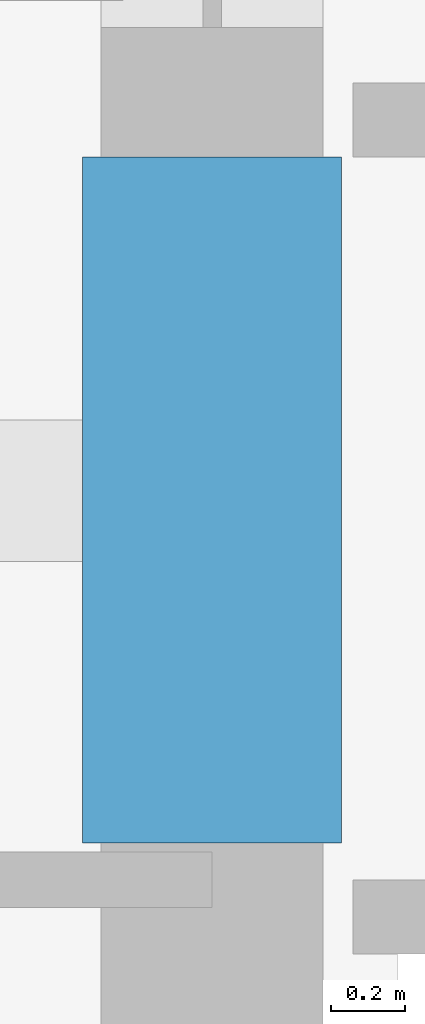
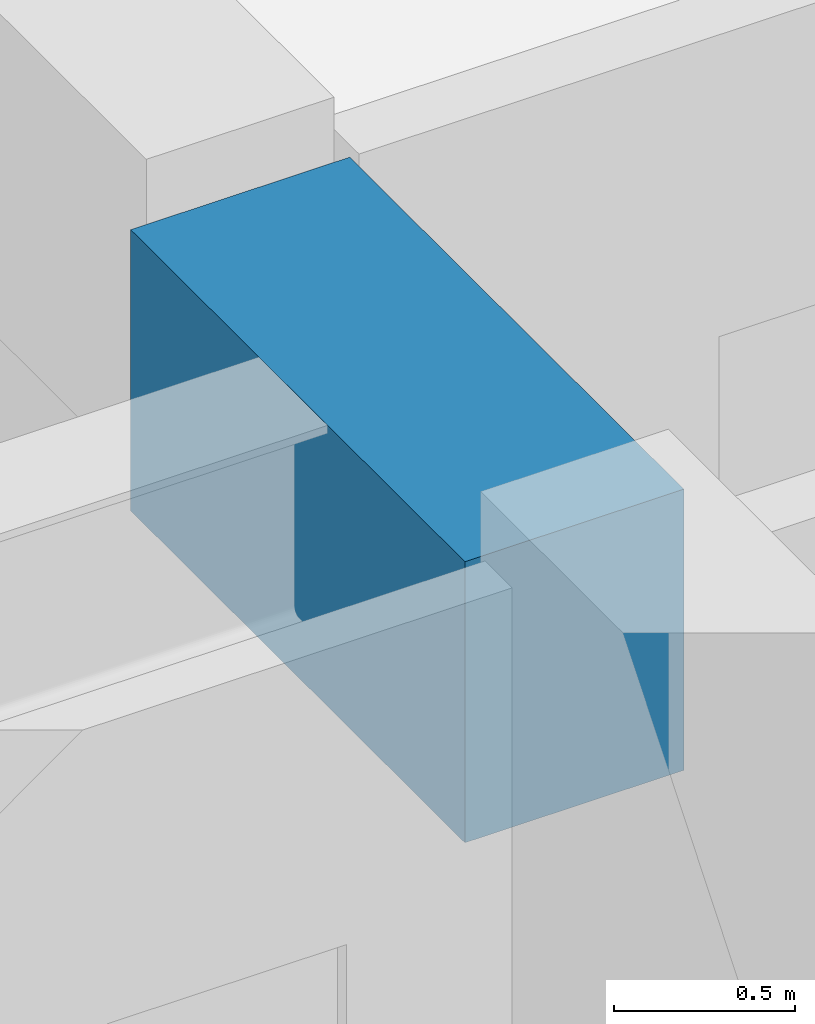
# One storey, part 5 of 36: 1 beam.
"""IFC4 building model written with IfcOpenShell, lengths in metres."""

import ifcopenshell
import ifcopenshell.guid

model = None  # the IFC model being written
_history = None  # IfcOwnerHistory: only IFC2X3 demands one
_inside = {}  # id of a spatial element -> (the spatial element, [elements in it])
_under = {}  # id of a project, library or spatial element -> (it, [spatial elements below it])
_declared = {}  # id of a project -> (the project, [libraries it declares])
_typed = {}  # id of a type object -> (the type object, [elements of that type])
_made_of = {}  # id of a material, layer set ... -> (it, [elements and type objects made of it])


def new_model(schema):
    """Start an empty IFC model of exactly this schema.

    Asked for "IFC4X3", IfcOpenShell would pick the latest addendum, in which some entities
    have other attributes; the version numbers below select the first issue.
    IFC2X3 requires an IfcOwnerHistory on every rooted entity: one is made here for all.
    """
    global model, _history
    if schema == "IFC4X3":
        model = ifcopenshell.file(schema_version=(4, 3, 0, 0))
    else:
        model = ifcopenshell.file(schema=schema)
    _inside.clear()
    _under.clear()
    _declared.clear()
    _typed.clear()
    _made_of.clear()
    _history = None
    if model.schema == "IFC2X3":
        org = make("IfcOrganization", Name="unknown")
        user = make(
            "IfcPersonAndOrganization",
            ThePerson=make("IfcPerson", FamilyName="unknown"),
            TheOrganization=org,
        )
        app = make(
            "IfcApplication",
            ApplicationDeveloper=org,
            Version="unknown",
            ApplicationFullName="unknown",
            ApplicationIdentifier="unknown",
        )
        _history = make(
            "IfcOwnerHistory",
            OwningUser=user,
            OwningApplication=app,
            ChangeAction="ADDED",
            CreationDate=0,
        )
    return model


def make(cls, **values):
    """One entity of the class cls with the attributes given. An attribute that is None is left unset."""
    return model.create_entity(
        cls, **{name: value for name, value in values.items() if value is not None}
    )


def rooted(cls, **values):
    """An entity with a GlobalId (a new one), such as an element, a storey or a relation."""
    return make(cls, GlobalId=ifcopenshell.guid.new(), OwnerHistory=_history, **values)


def si_unit(unit_type, name, prefix=None):
    """IfcSIUnit, for example si_unit("LENGTHUNIT", "METRE", prefix="MILLI")."""
    return make("IfcSIUnit", UnitType=unit_type, Prefix=prefix, Name=name)


def assignment(units):
    """IfcUnitAssignment: the units of a project."""
    return None if units is None else make("IfcUnitAssignment", Units=units)


def point(xyz):
    """IfcCartesianPoint."""
    return None if xyz is None else make("IfcCartesianPoint", Coordinates=xyz)


def direction(xyz):
    """IfcDirection."""
    return None if xyz is None else make("IfcDirection", DirectionRatios=xyz)


def frame(location, z_axis=None, x_axis=None):
    """IfcAxis2Placement3D, a coordinate frame: its origin and axes. An axis left out is left unset."""
    return make(
        "IfcAxis2Placement3D",
        Location=point(location),
        Axis=direction(z_axis),
        RefDirection=direction(x_axis),
    )


def frame_2d(location, x_axis=None):
    """IfcAxis2Placement2D, a coordinate frame in the plane: its origin and x axis."""
    return make(
        "IfcAxis2Placement2D", Location=point(location), RefDirection=direction(x_axis)
    )


def origin():
    """The frame at (0, 0, 0) with its axes left unset."""
    return frame((0.0, 0.0, 0.0))


def origin_2d():
    """The frame at (0, 0) in the plane with its x axis left unset."""
    return frame_2d((0.0, 0.0))


def place(relative_to, where):
    """IfcLocalPlacement: puts the frame where relative to a parent placement (None: the world)."""
    return make(
        "IfcLocalPlacement", PlacementRelTo=relative_to, RelativePlacement=where
    )


def context(
    kind, dimensions, precision=None, world=None, true_north=None, identifier=None
):
    """IfcGeometricRepresentationContext, for example the 3D "Model" context."""
    return make(
        "IfcGeometricRepresentationContext",
        ContextIdentifier=identifier,
        ContextType=kind,
        CoordinateSpaceDimension=dimensions,
        Precision=precision,
        WorldCoordinateSystem=world,
        TrueNorth=true_north,
    )


def subcontext(parent, identifier, kind, view, scale=None):
    """IfcGeometricRepresentationSubContext, for example "Body" below "Model"."""
    return make(
        "IfcGeometricRepresentationSubContext",
        ContextIdentifier=identifier,
        ContextType=kind,
        ParentContext=parent,
        TargetScale=scale,
        TargetView=view,
    )


def project(units=None, contexts=None):
    """IfcProject with its units and contexts."""
    return rooted(
        "IfcProject",
        Name="project",
        RepresentationContexts=contexts,
        UnitsInContext=assignment(units),
    )


def spatial(cls, under=None, at=None, **own):
    """A site, building, storey or space (cls), placed at a placement, below another one or the project."""
    s = rooted(cls, ObjectPlacement=at, **own)
    if under is not None:
        _under.setdefault(under.id(), (under, []))[1].append(s)
    return s


def profile(cls, at=None, kind="AREA", **sizes):
    """A parametric profile (cls). Its sizes go by their IFC names, for example OverallWidth=200.0."""
    return make(cls, ProfileType=kind, Position=at, **sizes)


def rectangle(**sizes):
    """IfcRectangleProfileDef."""
    return profile("IfcRectangleProfileDef", **sizes)


def extrude(swept, where, along, depth):
    """IfcExtrudedAreaSolid: the profile swept, set in the frame where, extruded along a direction by depth."""
    return make(
        "IfcExtrudedAreaSolid",
        SweptArea=swept,
        Position=where,
        ExtrudedDirection=direction(along),
        Depth=depth,
    )


def shape(context_of_items, identifier, shape_type, items):
    """IfcShapeRepresentation: the items that make up one representation, for example the "Body"."""
    return make(
        "IfcShapeRepresentation",
        ContextOfItems=context_of_items,
        RepresentationIdentifier=identifier,
        RepresentationType=shape_type,
        Items=items,
    )


def material(Name=None, Category=None):
    """IfcMaterial."""
    return make("IfcMaterial", Name=Name, Category=Category)


def material_profile(
    of_material, cross_section, Name=None, Category=None, Priority=None
):
    """IfcMaterialProfile: a cross section and its material."""
    return make(
        "IfcMaterialProfile",
        Name=Name,
        Material=of_material,
        Profile=cross_section,
        Priority=Priority,
        Category=Category,
    )


def profile_set(profiles, Name=None, composite=None):
    """IfcMaterialProfileSet."""
    return make(
        "IfcMaterialProfileSet",
        Name=Name,
        MaterialProfiles=profiles,
        CompositeProfile=composite,
    )


def made_of(thing, what):
    """Note that an element or type object is made of a material, layer set ...; save() writes the relation."""
    if what is not None:
        _made_of.setdefault(what.id(), (what, []))[1].append(thing)
    return thing


def type_object(cls, material=None, **own):
    """A type object (cls), such as IfcWallType, which elements share."""
    return made_of(rooted(cls, **own), material)


def element(
    cls,
    number,
    at=None,
    inside=None,
    cuts=None,
    type_object=None,
    material=None,
    context=None,
    identifier="Body",
    shape_type=None,
    held_by="IfcProductDefinitionShape",
    body=None,
    shapes=None,
    **own,
):
    """One element of the class cls, such as IfcWall. Its Tag is "e" and its number.

    at: its placement. inside: the storey or other place that contains it. cuts: it is an
    opening in that element (IfcRelVoidsElement). A single representation is given by context,
    identifier, shape_type and body (its items); several are given by shapes. held_by: the class
    of the entity that holds the representations. save() writes the other relations.
    """
    e = rooted(cls, Tag="e%d" % number, ObjectPlacement=at, **own)
    if body is not None:
        shapes = [shape(context, identifier, shape_type, body)]
    if shapes is not None:
        e.Representation = make(held_by, Representations=shapes)
    if inside is not None:
        _inside.setdefault(inside.id(), (inside, []))[1].append(e)
    if cuts is not None:
        rooted(
            "IfcRelVoidsElement", RelatingBuildingElement=cuts, RelatedOpeningElement=e
        )
    if type_object is not None:
        _typed.setdefault(type_object.id(), (type_object, []))[1].append(e)
    return made_of(e, material)


def aggregate(whole, parts):
    """IfcRelAggregates: a whole, such as a stair, and the parts it consists of."""
    return rooted("IfcRelAggregates", RelatingObject=whole, RelatedObjects=parts)


def save(model, path):
    """Write the relations noted so far, then the file.

    IfcRelAggregates (storeys below a building ...), IfcRelContainedInSpatialStructure (elements
    in a storey), IfcRelDefinesByType, IfcRelAssociatesMaterial and IfcRelDeclares: one each for
    every whole, place, type object, material and project.
    """
    for whole, parts in _under.values():
        aggregate(whole, parts)
    for where, things in _inside.values():
        rooted(
            "IfcRelContainedInSpatialStructure",
            RelatedElements=things,
            RelatingStructure=where,
        )
    for kind, things in _typed.values():
        rooted("IfcRelDefinesByType", RelatedObjects=things, RelatingType=kind)
    for what, things in _made_of.values():
        rooted("IfcRelAssociatesMaterial", RelatedObjects=things, RelatingMaterial=what)
    for by, libraries in _declared.values():
        rooted("IfcRelDeclares", RelatingContext=by, RelatedDefinitions=libraries)
    model.write(path)


model = new_model("IFC4")

# Units and contexts
model_context = context("Model", 3, precision=1e-05, world=origin(), true_north=direction((0.0, 1.0)))
body_context = subcontext(model_context, "Body", "Model", "MODEL_VIEW")
ifc_project = project(units=[si_unit("LENGTHUNIT", "METRE"), si_unit("AREAUNIT", "SQUARE_METRE"), si_unit("VOLUMEUNIT", "CUBIC_METRE"), si_unit("PLANEANGLEUNIT", "RADIAN"), si_unit("MASSUNIT", "GRAM", prefix="KILO")], contexts=[model_context])

# Site, building, storey
site_placement = place(None, origin())
site = spatial("IfcSite", under=ifc_project, at=site_placement, CompositionType="ELEMENT")
building_placement = place(site_placement, origin())
building = spatial("IfcBuilding", under=site, at=building_placement, Name="Kolvaren Belvedere", CompositionType="ELEMENT")
storey_placement = place(building_placement, frame((0.0, 0.0, 88.699951171875)))
storey = spatial("IfcBuildingStorey", under=building, at=storey_placement, Name="L25", CompositionType="ELEMENT", Elevation=88.699951171875)

# Beam
ifc_material = material(Name="Concrete C60/75", Category="concrete")
ifc_material_profile = material_profile(ifc_material, rectangle(XDim=0.699951171875, YDim=0.949951171875, at=origin_2d()), Name="RC 700X950")
ifc_profile_set = profile_set([ifc_material_profile], Name="Concrete C60/75")
beam_type = type_object("IfcBeamType", Name="BM-LINT-950", PredefinedType="LINTEL", material=ifc_profile_set)
beam_placement = place(storey_placement, frame((-9.89990234375, -5.550048828125, 2.60498046875), z_axis=(0.0, 1.0, 0.0), x_axis=(-1.0, 0.0, 0.0)))
element("IfcBeam", 1, at=beam_placement, inside=storey, type_object=beam_type, Name="L25 West Core Coupling Lintel", PredefinedType="LINTEL", context=body_context, shape_type="SweptSolid", body=[
    extrude(rectangle(XDim=0.699951171875, YDim=0.949951171875, at=origin_2d()), origin(), (0.0, 0.0, 1.0), 1.85009765625),
])

save(model, "model.ifc")
